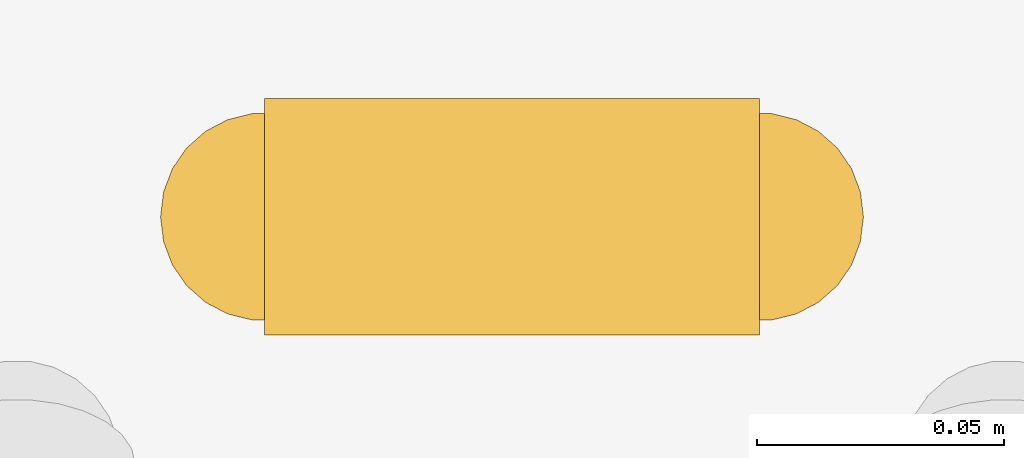
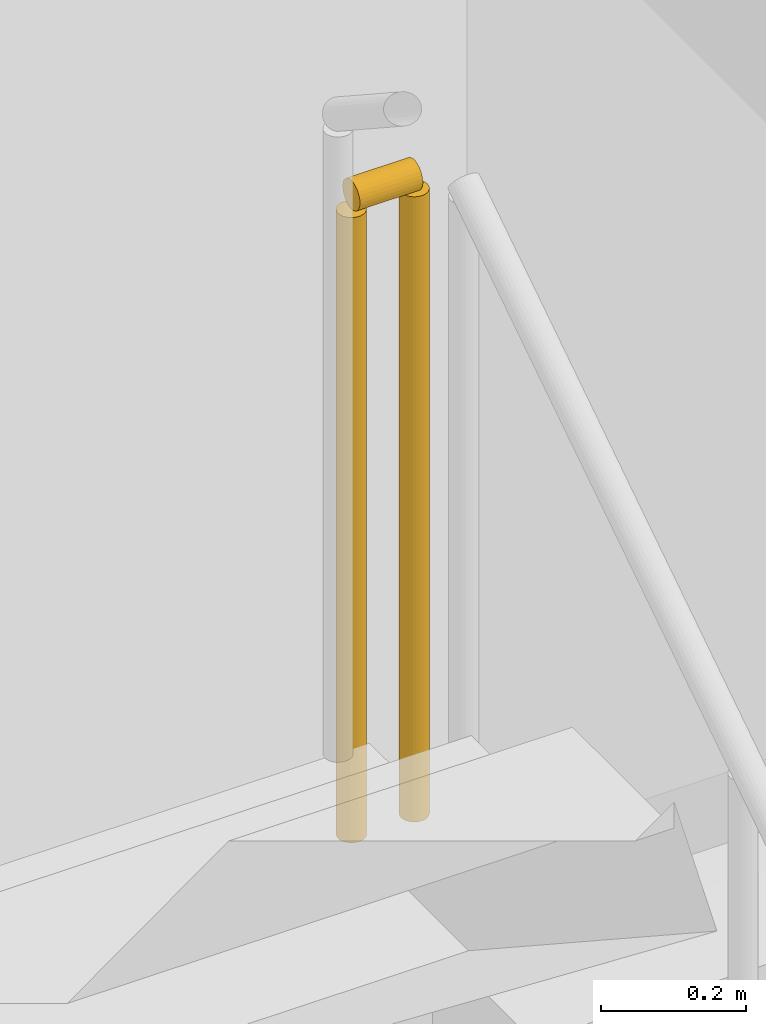
# One storey, part 20 of 21: 1 railing.
"""IFC4 building model written with IfcOpenShell, lengths in metres."""

from ifc_helpers import new_model, si_unit, direction, frame, origin, origin_2d, place, context, subcontext, project, spatial, circle, extrude, material, type_object, element, save


model = new_model("IFC4")

# Units and contexts
model_context = context("Model", 3, precision=1e-05, world=origin(), true_north=direction((0.0, 1.0)))
body_context = subcontext(model_context, "Body", "Model", "MODEL_VIEW")
ifc_project = project(units=[si_unit("LENGTHUNIT", "METRE"), si_unit("AREAUNIT", "SQUARE_METRE"), si_unit("VOLUMEUNIT", "CUBIC_METRE"), si_unit("PLANEANGLEUNIT", "RADIAN"), si_unit("MASSUNIT", "GRAM", prefix="KILO")], contexts=[model_context])

# Site, building, storey
site_placement = place(None, origin())
site = spatial("IfcSite", under=ifc_project, at=site_placement, CompositionType="ELEMENT")
building_placement = place(site_placement, origin())
building = spatial("IfcBuilding", under=site, at=building_placement, Name="Spindrift Exchange Tower", CompositionType="ELEMENT")
storey_placement = place(building_placement, frame((0.0, 0.0, 9.39990234375)))
storey = spatial("IfcBuildingStorey", under=building, at=storey_placement, Name="L02", CompositionType="ELEMENT", Elevation=9.39990234375)

# Railing
ifc_material = material(Name="Steel balustrade", Category="steel")
railing_type = type_object("IfcRailingType", Name="RL-STAIR-GUARD", PredefinedType="GUARDRAIL", material=ifc_material)
railing_placement = place(storey_placement, frame((85.85009765625, 49.080078125, 2.2001953125)))
element("IfcRailing", 1, at=railing_placement, inside=storey, type_object=railing_type, Name="L02 ST5 stair guard 2", PredefinedType="GUARDRAIL", context=body_context, shape_type="SweptSolid", body=[
    extrude(circle(Radius=0.02392578125, at=origin_2d()), frame((0.0, 0.0, 1.076171875), z_axis=(-1.0, 0.0, 0.0), x_axis=(0.0, -1.0, 0.0)), (0.0, 0.0, 1.0), 0.10009765625),
    extrude(circle(Radius=0.02099609375, at=origin_2d()), origin(), (0.0, 0.0, 1.0), 1.052001953125),
    extrude(circle(Radius=0.02099609375, at=origin_2d()), frame((-0.10009765625, 0.0, 0.0)), (0.0, 0.0, 1.0), 1.052001953125),
])

save(model, "model.ifc")
